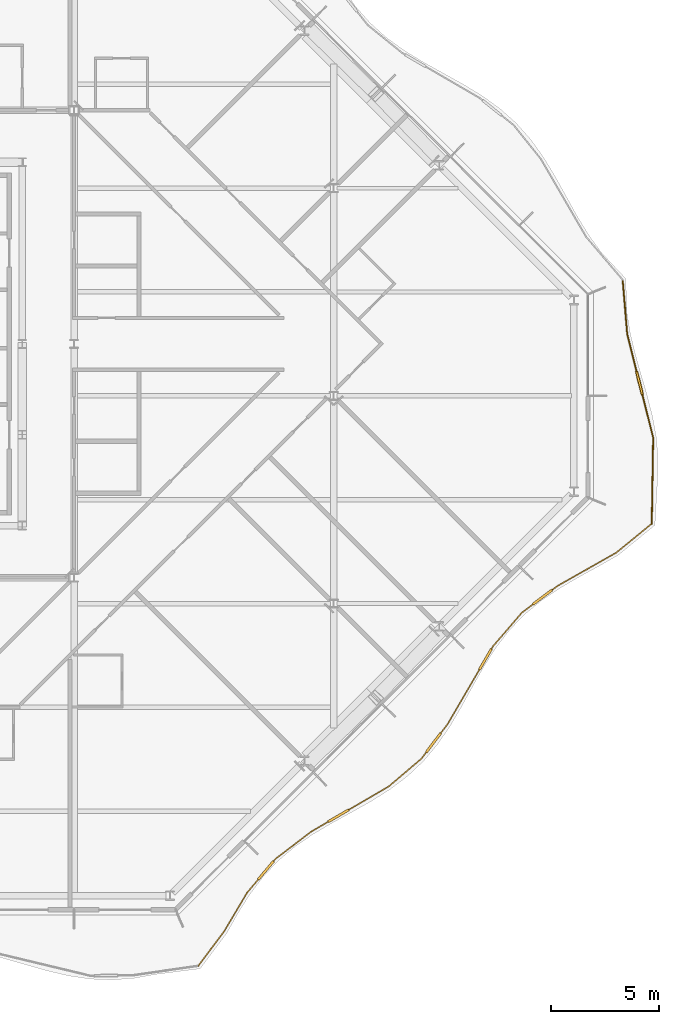
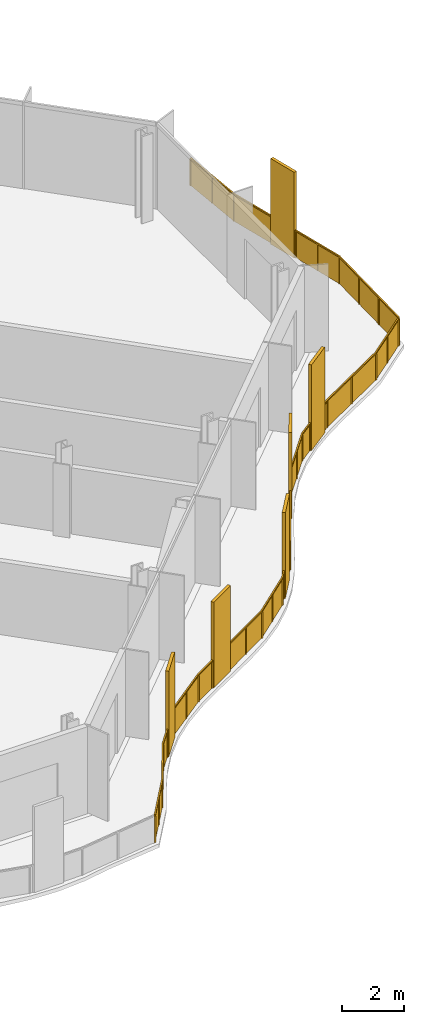
# One storey, part 15 of 17: 2 railings.
"""IFC4 building model written with IfcOpenShell, lengths in metres."""

from ifc_helpers import new_model, si_unit, direction, frame, origin, origin_2d, place, context, subcontext, project, spatial, polyline, rectangle, outline, extrude, material, type_object, element, save


model = new_model("IFC4")

# Units and contexts
model_context = context("Model", 3, precision=1e-05, world=origin(), true_north=direction((0.0, 1.0)))
body_context = subcontext(model_context, "Body", "Model", "MODEL_VIEW")
ifc_project = project(units=[si_unit("LENGTHUNIT", "METRE"), si_unit("AREAUNIT", "SQUARE_METRE"), si_unit("VOLUMEUNIT", "CUBIC_METRE"), si_unit("PLANEANGLEUNIT", "RADIAN"), si_unit("MASSUNIT", "GRAM", prefix="KILO")], contexts=[model_context])

# Site, building, storey
site_placement = place(None, origin())
site = spatial("IfcSite", under=ifc_project, at=site_placement, CompositionType="ELEMENT")
building_placement = place(site_placement, origin())
building = spatial("IfcBuilding", under=site, at=building_placement, Name="Cairn Pilgrim Tower", CompositionType="ELEMENT")
storey_placement = place(building_placement, frame((0.0, 0.0, 228.60009765625)))
storey = spatial("IfcBuildingStorey", under=building, at=storey_placement, Name="L58", CompositionType="ELEMENT", Elevation=228.60009765625)

# Railings
ifc_material = material(Name="Bronze anodised aluminium rail, posts and fin screens with laminated glass infill", Category="aluminium")
railing_type = type_object("IfcRailingType", Name="BALCONY GUARD WITH FIN SCREENS", PredefinedType="GUARDRAIL", material=ifc_material)
railing_1_placement = place(storey_placement, frame((24.945068359375, -26.342041015625, 0.0)))
element("IfcRailing", 1, at=railing_1_placement, inside=storey, type_object=railing_type, Name="Balcony guard BGF-2 with fin screens", PredefinedType="GUARDRAIL", context=body_context, shape_type="SweptSolid", body=[
    extrude(rectangle(XDim=0.050048828125, YDim=0.050048828125, at=origin_2d()), frame((0.0, 0.0, 1.0751953125), z_axis=(0.599409285503, 0.800442695296, 0.0), x_axis=(-0.800442695296, 0.599409285503, 0.0)), (0.0, 0.0, 1.0), 1.984375),
    extrude(rectangle(XDim=0.050048828125, YDim=0.050048828125, at=origin_2d()), frame((1.189453125, 1.58837890625, 1.0751953125), z_axis=(0.510329928553, 0.859978699749, 0.0), x_axis=(-0.859978699749, 0.510329928553, 0.0)), (0.0, 0.0, 1.0), 2.080078125),
    extrude(rectangle(XDim=1.10009765625, YDim=0.110107421875, at=origin_2d()), frame((3.118408203125, 4.408447265625, 0.0), z_axis=(0.0, 0.0, 1.0), x_axis=(0.643742788652, 0.765241936945, 0.0)), (0.0, 0.0, 1.0), 3.39990234375),
    extrude(rectangle(XDim=0.050048828125, YDim=0.050048828125, at=origin_2d()), frame((2.2509765625, 3.377197265625, 1.0751953125), z_axis=(0.643742788652, 0.765241936945, 0.0), x_axis=(-0.765241936945, 0.643742788652, 0.0)), (0.0, 0.0, 1.0), 0.797607421875),
    extrude(rectangle(XDim=0.050048828125, YDim=0.050048828125, at=origin_2d()), frame((3.472412109375, 4.829345703125, 1.0751953125), z_axis=(0.643742788652, 0.765241936945, 0.0), x_axis=(-0.765241936945, 0.643742788652, 0.0)), (0.0, 0.0, 1.0), 0.150146484375),
    extrude(rectangle(XDim=0.050048828125, YDim=0.050048828125, at=origin_2d()), frame((3.569091796875, 4.944091796875, 1.0751953125), z_axis=(0.794550003972, 0.607198724626, 0.0), x_axis=(-0.607198724626, 0.794550003972, 0.0)), (0.0, 0.0, 1.0), 2.054931640625),
    extrude(rectangle(XDim=1.10009765625, YDim=0.110107421875, at=origin_2d()), frame((6.473876953125, 6.933349609375, 0.0), z_axis=(0.0, 0.0, 1.0), x_axis=(0.863974844552, 0.503534971954, 0.0)), (0.0, 0.0, 1.0), 3.39990234375),
    extrude(rectangle(XDim=0.050048828125, YDim=0.050048828125, at=origin_2d()), frame((5.201904296875, 6.19189453125, 1.0751953125), z_axis=(0.863974844552, 0.503534971954, 0.0), x_axis=(-0.503534971954, 0.863974844552, 0.0)), (0.0, 0.0, 1.0), 0.92236328125),
    extrude(rectangle(XDim=0.050048828125, YDim=0.050048828125, at=origin_2d()), frame((6.94921875, 7.210205078125, 1.0751953125), z_axis=(0.863974844552, 0.503534971954, 0.0), x_axis=(-0.503534971954, 0.863974844552, 0.0)), (0.0, 0.0, 1.0), 2.1337890625),
    extrude(rectangle(XDim=0.050048828125, YDim=0.050048828125, at=origin_2d()), frame((8.792724609375, 8.28466796875, 1.0751953125), z_axis=(0.76217861483, 0.647366788688, 0.0), x_axis=(-0.647366788688, 0.76217861483, 0.0)), (0.0, 0.0, 1.0), 1.98828125),
    extrude(rectangle(XDim=1.10009765625, YDim=0.110107421875, at=origin_2d()), frame((10.866943359375, 10.31005859375, 0.0), z_axis=(0.0, 0.0, 1.0), x_axis=(0.603578676161, 0.797303443918, 0.0)), (0.0, 0.0, 1.0), 3.39990234375),
    extrude(rectangle(XDim=0.050048828125, YDim=0.050048828125, at=origin_2d()), frame((10.30810546875, 9.57177734375, 1.0751953125), z_axis=(0.603578676161, 0.797303443918, 0.0), x_axis=(-0.797303443918, 0.603578676161, 0.0)), (0.0, 0.0, 1.0), 0.3759765625),
    extrude(rectangle(XDim=0.050048828125, YDim=0.050048828125, at=origin_2d()), frame((11.198974609375, 10.74853515625, 1.0751953125), z_axis=(0.603578676161, 0.797303443918, 0.0), x_axis=(-0.797303443918, 0.603578676161, 0.0)), (0.0, 0.0, 1.0), 0.529296875),
    extrude(rectangle(XDim=1.10009765625, YDim=0.110107421875, at=origin_2d()), frame((13.26416015625, 14.162353515625, 0.0), z_axis=(0.0, 0.0, 1.0), x_axis=(0.503998612459, 0.863704462556, 0.0)), (0.0, 0.0, 1.0), 3.39990234375),
    extrude(rectangle(XDim=0.050048828125, YDim=0.050048828125, at=origin_2d()), frame((11.518310546875, 11.17041015625, 1.0751953125), z_axis=(0.503998612459, 0.863704462556, 0.0), x_axis=(-0.863704462556, 0.503998612459, 0.0)), (0.0, 0.0, 1.0), 2.9140625),
    extrude(rectangle(XDim=0.050048828125, YDim=0.050048828125, at=origin_2d()), frame((13.541259765625, 14.637451171875, 1.0751953125), z_axis=(0.503998612459, 0.863704462556, 0.0), x_axis=(-0.863704462556, 0.503998612459, 0.0)), (0.0, 0.0, 1.0), 0.14990234375),
    extrude(rectangle(XDim=0.050048828125, YDim=0.050048828125, at=origin_2d()), frame((13.616943359375, 14.766845703125, 1.0751953125), z_axis=(0.651085933483, 0.759004023191, 0.0), x_axis=(-0.759004023191, 0.651085933483, 0.0)), (0.0, 0.0, 1.0), 2.04736328125),
    extrude(rectangle(XDim=1.10009765625, YDim=0.110107421875, at=origin_2d()), frame((15.904541015625, 17.037109375, 0.0), z_axis=(0.0, 0.0, 1.0), x_axis=(0.799871831393, 0.600170853461, 0.0)), (0.0, 0.0, 1.0), 3.39990234375),
    extrude(rectangle(XDim=0.050048828125, YDim=0.050048828125, at=origin_2d()), frame((14.949951171875, 16.32080078125, 1.0751953125), z_axis=(0.799871831393, 0.600170853461, 0.0), x_axis=(-0.600170853461, 0.799871831393, 0.0)), (0.0, 0.0, 1.0), 0.6435546875),
    extrude(rectangle(XDim=0.050048828125, YDim=0.050048828125, at=origin_2d()), frame((16.344482421875, 17.3671875, 1.0751953125), z_axis=(0.799871831393, 0.600170853461, 0.0), x_axis=(-0.600170853461, 0.799871831393, 0.0)), (0.0, 0.0, 1.0), 0.31396484375),
    extrude(rectangle(XDim=0.050048828125, YDim=0.050048828125, at=origin_2d()), frame((16.595703125, 17.5556640625, 1.0751953125), z_axis=(0.870229703751, 0.492646184102, 0.0), x_axis=(-0.492646184102, 0.870229703751, 0.0)), (0.0, 0.0, 1.0), 3.12744140625),
    extrude(rectangle(XDim=0.050048828125, YDim=0.050048828125, at=origin_2d()), frame((19.3173828125, 19.096435546875, 1.0751953125), z_axis=(0.774380724705, 0.632719916871, 0.0), x_axis=(-0.632719916871, 0.774380724705, 0.0)), (0.0, 0.0, 1.0), 2.05419921875),
    extrude(rectangle(XDim=0.050048828125, YDim=0.050048828125, at=origin_2d()), origin(), (0.0, 0.0, 1.0), 1.050048828125),
    extrude(rectangle(XDim=0.050048828125, YDim=0.050048828125, at=origin_2d()), frame((0.5947265625, 0.794189453125, 0.0)), (0.0, 0.0, 1.0), 1.050048828125),
    extrude(rectangle(XDim=0.050048828125, YDim=0.050048828125, at=origin_2d()), frame((1.189453125, 1.58837890625, 0.0)), (0.0, 0.0, 1.0), 1.050048828125),
    extrude(rectangle(XDim=0.050048828125, YDim=0.050048828125, at=origin_2d()), frame((1.72021484375, 2.48291015625, 0.0)), (0.0, 0.0, 1.0), 1.050048828125),
    extrude(rectangle(XDim=0.050048828125, YDim=0.050048828125, at=origin_2d()), frame((2.2509765625, 3.377197265625, 0.0)), (0.0, 0.0, 1.0), 1.050048828125),
    extrude(rectangle(XDim=0.050048828125, YDim=0.050048828125, at=origin_2d()), frame((2.748291015625, 3.96826171875, 0.0)), (0.0, 0.0, 1.0), 1.050048828125),
    extrude(rectangle(XDim=0.050048828125, YDim=0.050048828125, at=origin_2d()), frame((3.488525390625, 4.848388671875, 0.0)), (0.0, 0.0, 1.0), 1.050048828125),
    extrude(rectangle(XDim=0.050048828125, YDim=0.050048828125, at=origin_2d()), frame((3.569091796875, 4.944091796875, 0.0)), (0.0, 0.0, 1.0), 1.050048828125),
    extrude(rectangle(XDim=0.050048828125, YDim=0.050048828125, at=origin_2d()), frame((4.385498046875, 5.56787109375, 0.0)), (0.0, 0.0, 1.0), 1.050048828125),
    extrude(rectangle(XDim=0.050048828125, YDim=0.050048828125, at=origin_2d()), frame((5.201904296875, 6.19189453125, 0.0)), (0.0, 0.0, 1.0), 1.050048828125),
    extrude(rectangle(XDim=0.050048828125, YDim=0.050048828125, at=origin_2d()), frame((5.977294921875, 6.643798828125, 0.0)), (0.0, 0.0, 1.0), 1.050048828125),
    extrude(rectangle(XDim=0.050048828125, YDim=0.050048828125, at=origin_2d()), frame((6.970703125, 7.222900390625, 0.0)), (0.0, 0.0, 1.0), 1.050048828125),
    extrude(rectangle(XDim=0.050048828125, YDim=0.050048828125, at=origin_2d()), frame((7.8818359375, 7.753662109375, 0.0)), (0.0, 0.0, 1.0), 1.050048828125),
    extrude(rectangle(XDim=0.050048828125, YDim=0.050048828125, at=origin_2d()), frame((8.792724609375, 8.28466796875, 0.0)), (0.0, 0.0, 1.0), 1.050048828125),
    extrude(rectangle(XDim=0.050048828125, YDim=0.050048828125, at=origin_2d()), frame((9.55029296875, 8.92822265625, 0.0)), (0.0, 0.0, 1.0), 1.050048828125),
    extrude(rectangle(XDim=0.050048828125, YDim=0.050048828125, at=origin_2d()), frame((10.30810546875, 9.57177734375, 0.0)), (0.0, 0.0, 1.0), 1.050048828125),
    extrude(rectangle(XDim=0.050048828125, YDim=0.050048828125, at=origin_2d()), frame((10.519775390625, 9.8515625, 0.0)), (0.0, 0.0, 1.0), 1.050048828125),
    extrude(rectangle(XDim=0.050048828125, YDim=0.050048828125, at=origin_2d()), frame((11.214111328125, 10.7685546875, 0.0)), (0.0, 0.0, 1.0), 1.050048828125),
    extrude(rectangle(XDim=0.050048828125, YDim=0.050048828125, at=origin_2d()), frame((11.518310546875, 11.17041015625, 0.0)), (0.0, 0.0, 1.0), 1.050048828125),
    extrude(rectangle(XDim=0.050048828125, YDim=0.050048828125, at=origin_2d()), frame((12.246337890625, 12.41796875, 0.0)), (0.0, 0.0, 1.0), 1.050048828125),
    extrude(rectangle(XDim=0.050048828125, YDim=0.050048828125, at=origin_2d()), frame((12.974365234375, 13.66552734375, 0.0)), (0.0, 0.0, 1.0), 1.050048828125),
    extrude(rectangle(XDim=0.050048828125, YDim=0.050048828125, at=origin_2d()), frame((13.553955078125, 14.658935546875, 0.0)), (0.0, 0.0, 1.0), 1.050048828125),
    extrude(rectangle(XDim=0.050048828125, YDim=0.050048828125, at=origin_2d()), frame((13.616943359375, 14.766845703125, 0.0)), (0.0, 0.0, 1.0), 1.050048828125),
    extrude(rectangle(XDim=0.050048828125, YDim=0.050048828125, at=origin_2d()), frame((14.283447265625, 15.5439453125, 0.0)), (0.0, 0.0, 1.0), 1.050048828125),
    extrude(rectangle(XDim=0.050048828125, YDim=0.050048828125, at=origin_2d()), frame((14.949951171875, 16.32080078125, 0.0)), (0.0, 0.0, 1.0), 1.050048828125),
    extrude(rectangle(XDim=0.050048828125, YDim=0.050048828125, at=origin_2d()), frame((15.444580078125, 16.69189453125, 0.0)), (0.0, 0.0, 1.0), 1.050048828125),
    extrude(rectangle(XDim=0.050048828125, YDim=0.050048828125, at=origin_2d()), frame((16.364501953125, 17.38232421875, 0.0)), (0.0, 0.0, 1.0), 1.050048828125),
    extrude(rectangle(XDim=0.050048828125, YDim=0.050048828125, at=origin_2d()), frame((16.595703125, 17.5556640625, 0.0)), (0.0, 0.0, 1.0), 1.050048828125),
    extrude(rectangle(XDim=0.050048828125, YDim=0.050048828125, at=origin_2d()), frame((17.95654296875, 18.326171875, 0.0)), (0.0, 0.0, 1.0), 1.050048828125),
    extrude(rectangle(XDim=0.050048828125, YDim=0.050048828125, at=origin_2d()), frame((19.3173828125, 19.096435546875, 0.0)), (0.0, 0.0, 1.0), 1.050048828125),
    extrude(rectangle(XDim=0.050048828125, YDim=0.050048828125, at=origin_2d()), frame((20.11279296875, 19.746337890625, 0.0)), (0.0, 0.0, 1.0), 1.050048828125),
    extrude(rectangle(XDim=0.050048828125, YDim=0.050048828125, at=origin_2d()), frame((20.908203125, 20.396240234375, 0.0)), (0.0, 0.0, 1.0), 1.050048828125),
    extrude(outline(polyline([(0.02490234375, 0.0), (0.96728515625, 0.0), (0.96728515625, 1.050048828125), (0.02490234375, 1.050048828125), (0.02490234375, 0.0)])), frame((-0.0048828125, 0.003662109375, 0.0), z_axis=(0.800442695296, -0.599409285503, 0.0), x_axis=(0.599409285503, 0.800442695296, 0.0)), (0.0, 0.0, 1.0), 0.011962890625),
    extrude(outline(polyline([(0.02490234375, 0.0), (0.96728515625, 0.0), (0.96728515625, 1.050048828125), (0.02490234375, 1.050048828125), (0.02490234375, 0.0)])), frame((0.58984375, 0.7978515625, 0.0), z_axis=(0.800442695296, -0.599409285503, 0.0), x_axis=(0.599409285503, 0.800442695296, 0.0)), (0.0, 0.0, 1.0), 0.011962890625),
    extrude(outline(polyline([(0.02490234375, 0.0), (1.014892578125, 0.0), (1.014892578125, 1.050048828125), (0.02490234375, 1.050048828125), (0.02490234375, 0.0)])), frame((1.184326171875, 1.591552734375, 0.0), z_axis=(0.859978699749, -0.510329928553, 0.0), x_axis=(0.510329928553, 0.859978699749, 0.0)), (0.0, 0.0, 1.0), 0.011962890625),
    extrude(outline(polyline([(0.02490234375, 0.0), (1.014892578125, 0.0), (1.014892578125, 1.050048828125), (0.02490234375, 1.050048828125), (0.02490234375, 0.0)])), frame((1.715087890625, 2.48583984375, 0.0), z_axis=(0.859978699749, -0.510329928553, 0.0), x_axis=(0.510329928553, 0.859978699749, 0.0)), (0.0, 0.0, 1.0), 0.011962890625),
    extrude(outline(polyline([(0.02490234375, 0.0), (0.74755859375, 0.0), (0.74755859375, 1.050048828125), (0.02490234375, 1.050048828125), (0.02490234375, 0.0)])), frame((2.246337890625, 3.381103515625, 0.0), z_axis=(0.765241936945, -0.643742788652, 0.0), x_axis=(0.643742788652, 0.765241936945, 0.0)), (0.0, 0.0, 1.0), 0.011962890625),
    extrude(outline(polyline([(0.02490234375, 0.0), (0.10009765625, 0.0), (0.10009765625, 1.050048828125), (0.02490234375, 1.050048828125), (0.02490234375, 0.0)])), frame((3.484130859375, 4.852294921875, 0.0), z_axis=(0.765241936945, -0.643742788652, 0.0), x_axis=(0.643742788652, 0.765241936945, 0.0)), (0.0, 0.0, 1.0), 0.011962890625),
    extrude(outline(polyline([(0.02490234375, 0.0), (1.00244140625, 0.0), (1.00244140625, 1.050048828125), (0.02490234375, 1.050048828125), (0.02490234375, 0.0)])), frame((3.5654296875, 4.94873046875, 0.0), z_axis=(0.607198724626, -0.794550003972, 0.0), x_axis=(0.794550003972, 0.607198724626, 0.0)), (0.0, 0.0, 1.0), 0.011962890625),
    extrude(outline(polyline([(0.02490234375, 0.0), (1.00244140625, 0.0), (1.00244140625, 1.050048828125), (0.02490234375, 1.050048828125), (0.02490234375, 0.0)])), frame((4.3818359375, 5.57275390625, 0.0), z_axis=(0.607198724626, -0.794550003972, 0.0), x_axis=(0.794550003972, 0.607198724626, 0.0)), (0.0, 0.0, 1.0), 0.011962890625),
    extrude(outline(polyline([(0.02490234375, 0.0), (0.872314453125, 0.0), (0.872314453125, 1.050048828125), (0.02490234375, 1.050048828125), (0.02490234375, 0.0)])), frame((5.198974609375, 6.197021484375, 0.0), z_axis=(0.503534971954, -0.863974844552, 0.0), x_axis=(0.863974844552, 0.503534971954, 0.0)), (0.0, 0.0, 1.0), 0.011962890625),
    extrude(outline(polyline([(0.02490234375, 0.0), (1.029296875, 0.0), (1.029296875, 1.050048828125), (0.02490234375, 1.050048828125), (0.02490234375, 0.0)])), frame((6.9677734375, 7.22802734375, 0.0), z_axis=(0.503534971954, -0.863974844552, 0.0), x_axis=(0.863974844552, 0.503534971954, 0.0)), (0.0, 0.0, 1.0), 0.011962890625),
    extrude(outline(polyline([(0.02490234375, 0.0), (1.029296875, 0.0), (1.029296875, 1.050048828125), (0.02490234375, 1.050048828125), (0.02490234375, 0.0)])), frame((7.878662109375, 7.759033203125, 0.0), z_axis=(0.503534971954, -0.863974844552, 0.0), x_axis=(0.863974844552, 0.503534971954, 0.0)), (0.0, 0.0, 1.0), 0.011962890625),
    extrude(outline(polyline([(0.02490234375, 0.0), (0.968994140625, 0.0), (0.968994140625, 1.050048828125), (0.02490234375, 1.050048828125), (0.02490234375, 0.0)])), frame((8.788818359375, 8.289306640625, 0.0), z_axis=(0.647366788688, -0.76217861483, 0.0), x_axis=(0.76217861483, 0.647366788688, 0.0)), (0.0, 0.0, 1.0), 0.011962890625),
    extrude(outline(polyline([(0.02490234375, 0.0), (0.968994140625, 0.0), (0.968994140625, 1.050048828125), (0.02490234375, 1.050048828125), (0.02490234375, 0.0)])), frame((9.546630859375, 8.932861328125, 0.0), z_axis=(0.647366788688, -0.76217861483, 0.0), x_axis=(0.76217861483, 0.647366788688, 0.0)), (0.0, 0.0, 1.0), 0.011962890625),
    extrude(outline(polyline([(0.02490234375, 0.0), (0.325927734375, 0.0), (0.325927734375, 1.050048828125), (0.02490234375, 1.050048828125), (0.02490234375, 0.0)])), frame((10.30322265625, 9.575439453125, 0.0), z_axis=(0.797303443918, -0.603578676161, 0.0), x_axis=(0.603578676161, 0.797303443918, 0.0)), (0.0, 0.0, 1.0), 0.011962890625),
    extrude(outline(polyline([(0.02490234375, 0.0), (0.479248046875, 0.0), (0.479248046875, 1.050048828125), (0.02490234375, 1.050048828125), (0.02490234375, 0.0)])), frame((11.209228515625, 10.77197265625, 0.0), z_axis=(0.797303443918, -0.603578676161, 0.0), x_axis=(0.603578676161, 0.797303443918, 0.0)), (0.0, 0.0, 1.0), 0.011962890625),
    extrude(outline(polyline([(0.02490234375, 0.0), (1.41943359375, 0.0), (1.41943359375, 1.050048828125), (0.02490234375, 1.050048828125), (0.02490234375, 0.0)])), frame((11.51318359375, 11.17333984375, 0.0), z_axis=(0.863704462556, -0.503998612459, 0.0), x_axis=(0.503998612459, 0.863704462556, 0.0)), (0.0, 0.0, 1.0), 0.011962890625),
    extrude(outline(polyline([(0.02490234375, 0.0), (1.41943359375, 0.0), (1.41943359375, 1.050048828125), (0.02490234375, 1.050048828125), (0.02490234375, 0.0)])), frame((12.2412109375, 12.421142578125, 0.0), z_axis=(0.863704462556, -0.503998612459, 0.0), x_axis=(0.503998612459, 0.863704462556, 0.0)), (0.0, 0.0, 1.0), 0.011962890625),
    extrude(outline(polyline([(0.02490234375, 0.0), (0.099853515625, 0.0), (0.099853515625, 1.050048828125), (0.02490234375, 1.050048828125), (0.02490234375, 0.0)])), frame((13.548828125, 14.661865234375, 0.0), z_axis=(0.863704462556, -0.503998612459, 0.0), x_axis=(0.503998612459, 0.863704462556, 0.0)), (0.0, 0.0, 1.0), 0.011962890625),
    extrude(outline(polyline([(0.02490234375, 0.0), (0.99853515625, 0.0), (0.99853515625, 1.050048828125), (0.02490234375, 1.050048828125), (0.02490234375, 0.0)])), frame((13.6123046875, 14.770751953125, 0.0), z_axis=(0.759004023191, -0.651085933483, 0.0), x_axis=(0.651085933483, 0.759004023191, 0.0)), (0.0, 0.0, 1.0), 0.011962890625),
    extrude(outline(polyline([(0.02490234375, 0.0), (0.99853515625, 0.0), (0.99853515625, 1.050048828125), (0.02490234375, 1.050048828125), (0.02490234375, 0.0)])), frame((14.27880859375, 15.547607421875, 0.0), z_axis=(0.759004023191, -0.651085933483, 0.0), x_axis=(0.651085933483, 0.759004023191, 0.0)), (0.0, 0.0, 1.0), 0.011962890625),
    extrude(outline(polyline([(0.02490234375, 0.0), (0.593505859375, 0.0), (0.593505859375, 1.050048828125), (0.02490234375, 1.050048828125), (0.02490234375, 0.0)])), frame((14.9462890625, 16.32568359375, 0.0), z_axis=(0.600170853461, -0.799871831393, 0.0), x_axis=(0.799871831393, 0.600170853461, 0.0)), (0.0, 0.0, 1.0), 0.011962890625),
    extrude(outline(polyline([(0.02490234375, 0.0), (0.263916015625, 0.0), (0.263916015625, 1.050048828125), (0.02490234375, 1.050048828125), (0.02490234375, 0.0)])), frame((16.36083984375, 17.386962890625, 0.0), z_axis=(0.600170853461, -0.799871831393, 0.0), x_axis=(0.799871831393, 0.600170853461, 0.0)), (0.0, 0.0, 1.0), 0.011962890625),
    extrude(outline(polyline([(0.02490234375, 0.0), (1.538818359375, 0.0), (1.538818359375, 1.050048828125), (0.02490234375, 1.050048828125), (0.02490234375, 0.0)])), frame((16.5927734375, 17.560791015625, 0.0), z_axis=(0.492646184102, -0.870229703751, 0.0), x_axis=(0.870229703751, 0.492646184102, 0.0)), (0.0, 0.0, 1.0), 0.011962890625),
    extrude(outline(polyline([(0.02490234375, 0.0), (1.538818359375, 0.0), (1.538818359375, 1.050048828125), (0.02490234375, 1.050048828125), (0.02490234375, 0.0)])), frame((17.95361328125, 18.331298828125, 0.0), z_axis=(0.492646184102, -0.870229703751, 0.0), x_axis=(0.870229703751, 0.492646184102, 0.0)), (0.0, 0.0, 1.0), 0.011962890625),
    extrude(outline(polyline([(0.02490234375, 0.0), (1.002197265625, 0.0), (1.002197265625, 1.050048828125), (0.02490234375, 1.050048828125), (0.02490234375, 0.0)])), frame((19.3134765625, 19.10107421875, 0.0), z_axis=(0.632719916871, -0.774380724705, 0.0), x_axis=(0.774380724705, 0.632719916871, 0.0)), (0.0, 0.0, 1.0), 0.011962890625),
    extrude(outline(polyline([(0.02490234375, 0.0), (1.002197265625, 0.0), (1.002197265625, 1.050048828125), (0.02490234375, 1.050048828125), (0.02490234375, 0.0)])), frame((20.10888671875, 19.7509765625, 0.0), z_axis=(0.632719916871, -0.774380724705, 0.0), x_axis=(0.774380724705, 0.632719916871, 0.0)), (0.0, 0.0, 1.0), 0.011962890625),
])
railing_2_placement = place(storey_placement, frame((45.899658203125, -5.90771484375, 0.0)))
element("IfcRailing", 2, at=railing_2_placement, inside=storey, type_object=railing_type, Name="Balcony guard BGF-3 with fin screens", PredefinedType="GUARDRAIL", context=body_context, shape_type="SweptSolid", body=[
    extrude(rectangle(XDim=0.050048828125, YDim=0.050048828125, at=origin_2d()), frame((0.0, 0.0, 1.0751953125), z_axis=(0.016108098574, 0.999870256163, 0.0), x_axis=(-0.999870256163, 0.016108098574, 0.0)), (0.0, 0.0, 1.0), 3.970947265625),
    extrude(rectangle(XDim=1.10009765625, YDim=0.110107421875, at=origin_2d()), frame((-0.56982421875, 6.503173828125, 0.0), z_axis=(0.0, 0.0, 1.0), x_axis=(-0.242733285544, 0.970093063623, 0.0)), (0.0, 0.0, 1.0), 3.39990234375),
    extrude(rectangle(XDim=0.050048828125, YDim=0.050048828125, at=origin_2d()), frame((0.06396484375, 3.970458984375, 1.0751953125), z_axis=(-0.242733285544, 0.970093063623, 0.0), x_axis=(-0.970093063623, -0.242733285544, 0.0)), (0.0, 0.0, 1.0), 2.060791015625),
    extrude(rectangle(XDim=0.050048828125, YDim=0.050048828125, at=origin_2d()), frame((-0.703369140625, 7.036865234375, 1.0751953125), z_axis=(-0.242733285544, 0.970093063623, 0.0), x_axis=(-0.970093063623, -0.242733285544, 0.0)), (0.0, 0.0, 1.0), 1.779541015625),
    extrude(rectangle(XDim=0.050048828125, YDim=0.050048828125, at=origin_2d()), frame((-1.13525390625, 8.76318359375, 1.0751953125), z_axis=(-0.083465354914, 0.996510679586, 0.0), x_axis=(-0.996510679586, -0.083465354914, 0.0)), (0.0, 0.0, 1.0), 2.4541015625),
    extrude(rectangle(XDim=0.050048828125, YDim=0.050048828125, at=origin_2d()), origin(), (0.0, 0.0, 1.0), 1.050048828125),
    extrude(rectangle(XDim=0.050048828125, YDim=0.050048828125, at=origin_2d()), frame((0.021240234375, 1.323486328125, 0.0)), (0.0, 0.0, 1.0), 1.050048828125),
    extrude(rectangle(XDim=0.050048828125, YDim=0.050048828125, at=origin_2d()), frame((0.042724609375, 2.64697265625, 0.0)), (0.0, 0.0, 1.0), 1.050048828125),
    extrude(rectangle(XDim=0.050048828125, YDim=0.050048828125, at=origin_2d()), frame((0.06396484375, 3.970458984375, 0.0)), (0.0, 0.0, 1.0), 1.050048828125),
    extrude(rectangle(XDim=0.050048828125, YDim=0.050048828125, at=origin_2d()), frame((-0.18310546875, 4.9580078125, 0.0)), (0.0, 0.0, 1.0), 1.050048828125),
    extrude(rectangle(XDim=0.050048828125, YDim=0.050048828125, at=origin_2d()), frame((-0.43017578125, 5.9453125, 0.0)), (0.0, 0.0, 1.0), 1.050048828125),
    extrude(rectangle(XDim=0.050048828125, YDim=0.050048828125, at=origin_2d()), frame((-0.709228515625, 7.06103515625, 0.0)), (0.0, 0.0, 1.0), 1.050048828125),
    extrude(rectangle(XDim=0.050048828125, YDim=0.050048828125, at=origin_2d()), frame((-1.13525390625, 8.76318359375, 0.0)), (0.0, 0.0, 1.0), 1.050048828125),
    extrude(rectangle(XDim=0.050048828125, YDim=0.050048828125, at=origin_2d()), frame((-1.23779296875, 9.98583984375, 0.0)), (0.0, 0.0, 1.0), 1.050048828125),
    extrude(rectangle(XDim=0.050048828125, YDim=0.050048828125, at=origin_2d()), frame((-1.340087890625, 11.208740234375, 0.0)), (0.0, 0.0, 1.0), 1.050048828125),
    extrude(outline(polyline([(0.02490234375, 0.0), (1.298583984375, 0.0), (1.298583984375, 1.050048828125), (0.02490234375, 1.050048828125), (0.02490234375, 0.0)])), frame((-0.005859375, 0.0, 0.0), z_axis=(0.999870256163, -0.016108098574, 0.0), x_axis=(0.016108098574, 0.999870256163, 0.0)), (0.0, 0.0, 1.0), 0.011962890625),
    extrude(outline(polyline([(0.02490234375, 0.0), (1.298583984375, 0.0), (1.298583984375, 1.050048828125), (0.02490234375, 1.050048828125), (0.02490234375, 0.0)])), frame((0.015380859375, 1.323486328125, 0.0), z_axis=(0.999870256163, -0.016108098574, 0.0), x_axis=(0.016108098574, 0.999870256163, 0.0)), (0.0, 0.0, 1.0), 0.011962890625),
    extrude(outline(polyline([(0.02490234375, 0.0), (1.298583984375, 0.0), (1.298583984375, 1.050048828125), (0.02490234375, 1.050048828125), (0.02490234375, 0.0)])), frame((0.03662109375, 2.64697265625, 0.0), z_axis=(0.999870256163, -0.016108098574, 0.0), x_axis=(0.016108098574, 0.999870256163, 0.0)), (0.0, 0.0, 1.0), 0.011962890625),
    extrude(outline(polyline([(0.02490234375, 0.0), (0.992919921875, 0.0), (0.992919921875, 1.050048828125), (0.02490234375, 1.050048828125), (0.02490234375, 0.0)])), frame((0.05810546875, 3.968994140625, 0.0), z_axis=(0.970093063623, 0.242733285544, 0.0), x_axis=(-0.242733285544, 0.970093063623, 0.0)), (0.0, 0.0, 1.0), 0.011962890625),
    extrude(outline(polyline([(0.02490234375, 0.0), (0.992919921875, 0.0), (0.992919921875, 1.050048828125), (0.02490234375, 1.050048828125), (0.02490234375, 0.0)])), frame((-0.18896484375, 4.95654296875, 0.0), z_axis=(0.970093063623, 0.242733285544, 0.0), x_axis=(-0.242733285544, 0.970093063623, 0.0)), (0.0, 0.0, 1.0), 0.011962890625),
    extrude(outline(polyline([(0.02490234375, 0.0), (1.7294921875, 0.0), (1.7294921875, 1.050048828125), (0.02490234375, 1.050048828125), (0.02490234375, 0.0)])), frame((-0.715087890625, 7.0595703125, 0.0), z_axis=(0.970093063623, 0.242733285544, 0.0), x_axis=(-0.242733285544, 0.970093063623, 0.0)), (0.0, 0.0, 1.0), 0.011962890625),
    extrude(outline(polyline([(0.02490234375, 0.0), (1.2021484375, 0.0), (1.2021484375, 1.050048828125), (0.02490234375, 1.050048828125), (0.02490234375, 0.0)])), frame((-1.14111328125, 8.7626953125, 0.0), z_axis=(0.996510679586, 0.083465354914, 0.0), x_axis=(-0.083465354914, 0.996510679586, 0.0)), (0.0, 0.0, 1.0), 0.011962890625),
    extrude(outline(polyline([(0.02490234375, 0.0), (1.2021484375, 0.0), (1.2021484375, 1.050048828125), (0.02490234375, 1.050048828125), (0.02490234375, 0.0)])), frame((-1.24365234375, 9.9853515625, 0.0), z_axis=(0.996510679586, 0.083465354914, 0.0), x_axis=(-0.083465354914, 0.996510679586, 0.0)), (0.0, 0.0, 1.0), 0.011962890625),
])

save(model, "model.ifc")
